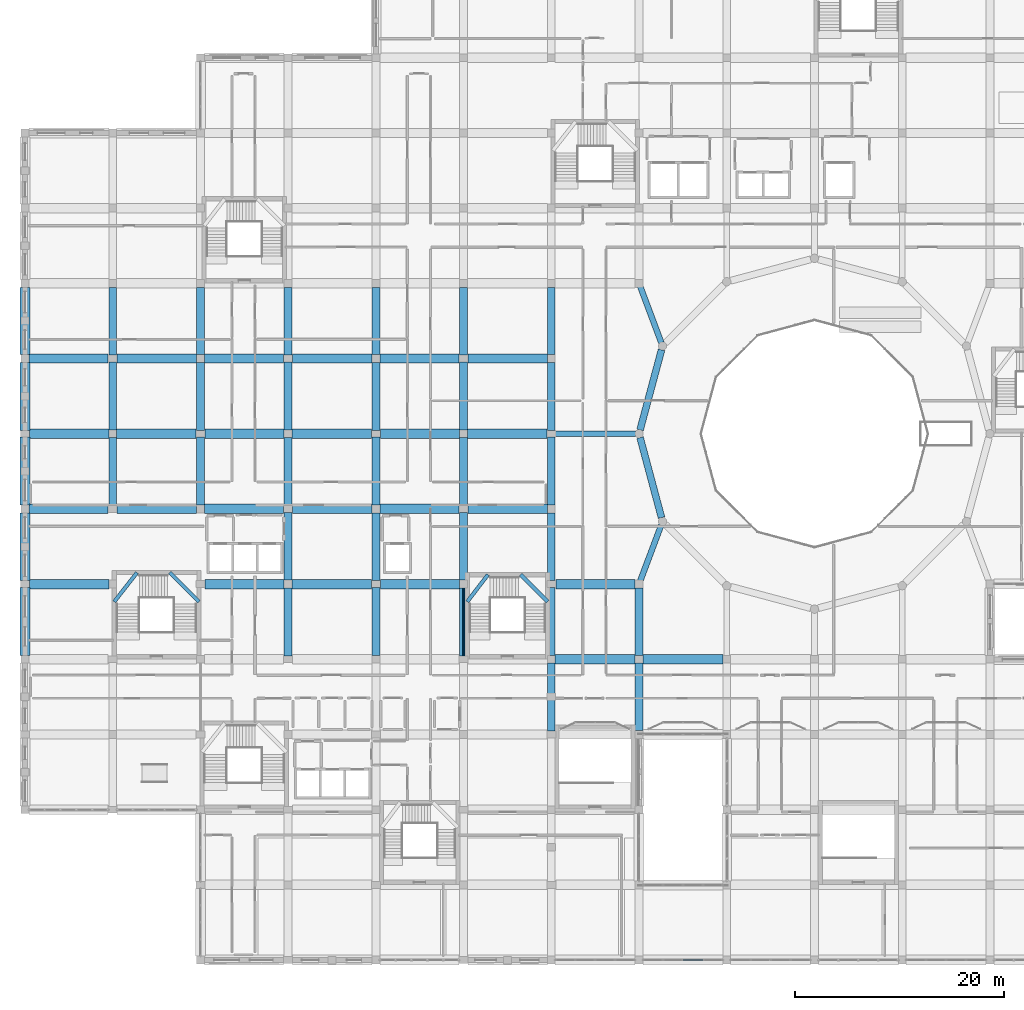
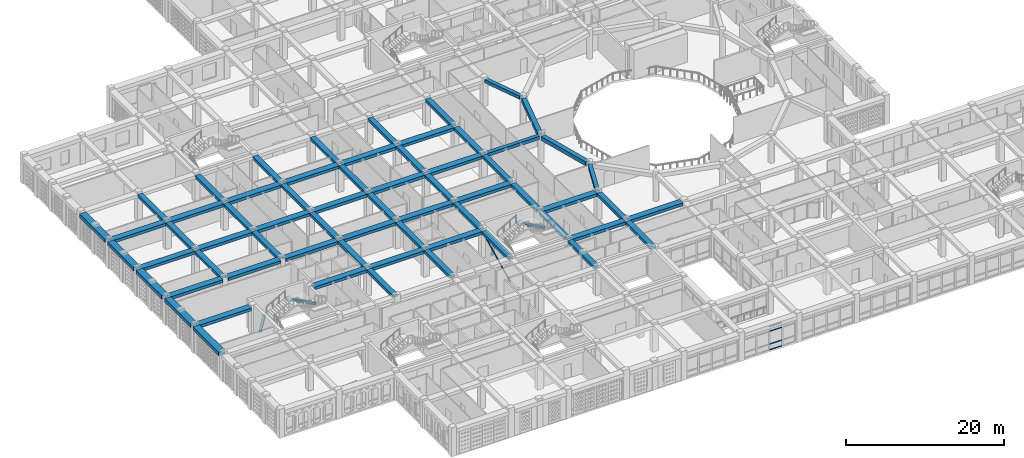
# One storey, part 14 of 121: 68 beams, 5 members, 1 element without a shape of its own.
"""IFC4 building model written with IfcOpenShell, lengths in metres."""

from ifc_helpers import new_model, si_unit, derived_unit, direction, frame, origin, origin_2d, place, context, subcontext, project, spatial, rectangle, hollow_rectangle, hollow_circle, extrude, material, material_profile, profile_set, type_object, element, aggregate, save


model = new_model("IFC4")

# Units and contexts
model_context = context("Model", 3, precision=1e-05, world=origin(), true_north=direction((0.0, 1.0)))
body_context = subcontext(model_context, "Body", "Model", "MODEL_VIEW")
ifc_project = project(units=[si_unit("LENGTHUNIT", "METRE"), si_unit("AREAUNIT", "SQUARE_METRE"), si_unit("VOLUMEUNIT", "CUBIC_METRE"), si_unit("PLANEANGLEUNIT", "RADIAN"), si_unit("MASSUNIT", "GRAM", prefix="KILO"), derived_unit("THERMALTRANSMITTANCEUNIT", [(si_unit("POWERUNIT", "WATT"), 1), (si_unit("LENGTHUNIT", "METRE"), -2), (si_unit("THERMODYNAMICTEMPERATUREUNIT", "KELVIN"), -1)])], contexts=[model_context])

# Site, building, storey
site_placement = place(None, origin())
site = spatial("IfcSite", under=ifc_project, at=site_placement, CompositionType="ELEMENT")
building_placement = place(site_placement, origin())
building = spatial("IfcBuilding", under=site, at=building_placement, Name="Veybourne Emporium", CompositionType="ELEMENT")
storey_placement = place(building_placement, frame((0.0, 0.0, 5.39990234375)))
storey = spatial("IfcBuildingStorey", under=building, at=storey_placement, Name="L01", CompositionType="ELEMENT", Elevation=5.39990234375)

# Curtain wall, members
ifc_material_1 = material(Name="Patinated Architectural Bronze", Category="bronze")
curtain_wall_type = type_object("IfcCurtainWallType", Name="CWSystem_CWS-08", PredefinedType="NOTDEFINED", material=ifc_material_1)
curtain_wall_placement = place(storey_placement, origin())
curtain_wall = element("IfcCurtainWall", 1, at=curtain_wall_placement, inside=storey, type_object=curtain_wall_type, Name="L01 bronze glazed curtain wall CWS-08 (033)", PredefinedType="NOTDEFINED")
ifc_material_profile_1 = material_profile(ifc_material_1, hollow_rectangle(XDim=0.070068359375, YDim=0.169921875, WallThickness=0.0048828125, InnerFilletRadius=0.007568359375, OuterFilletRadius=0.012451171875, at=origin_2d()), Name="CWT 70x170x5")
ifc_profile_set_1 = profile_set([ifc_material_profile_1], Name="Patinated Architectural Bronze")
member_type_1 = type_object("IfcMemberType", Name="CWTransom_CW-T4", PredefinedType="NOTDEFINED", material=ifc_profile_set_1)
member_1_placement = place(storey_placement, frame((64.87744140625, 0.0, 0.03515625), z_axis=(-1.0, 0.0, 0.0), x_axis=(0.0, -1.0, 0.0)))
member_1 = element("IfcMember", 2, at=member_1_placement, type_object=member_type_1, Name="CWS-08 transom 2.1", ObjectType="TRANSOM", PredefinedType="USERDEFINED", context=body_context, shape_type="SweptSolid", body=[
    extrude(hollow_rectangle(XDim=0.070068359375, YDim=0.169921875, WallThickness=0.0048828125, InnerFilletRadius=0.007568359375, OuterFilletRadius=0.012451171875, at=origin_2d()), origin(), (0.0, 0.0, 1.0), 1.842529296875),
])
member_2_placement = place(storey_placement, frame((64.87744140625, 0.0, 0.900146484375), z_axis=(-1.0, 0.0, 0.0), x_axis=(0.0, -1.0, 0.0)))
member_2 = element("IfcMember", 3, at=member_2_placement, type_object=member_type_1, Name="CWS-08 transom 2.2", ObjectType="TRANSOM", PredefinedType="USERDEFINED", context=body_context, shape_type="SweptSolid", body=[
    extrude(hollow_rectangle(XDim=0.070068359375, YDim=0.169921875, WallThickness=0.0048828125, InnerFilletRadius=0.007568359375, OuterFilletRadius=0.012451171875, at=origin_2d()), origin(), (0.0, 0.0, 1.0), 1.842529296875),
])
member_3_placement = place(storey_placement, frame((64.87744140625, 0.0, 2.880126953125), z_axis=(-1.0, 0.0, 0.0), x_axis=(0.0, -1.0, 0.0)))
member_3 = element("IfcMember", 4, at=member_3_placement, type_object=member_type_1, Name="CWS-08 transom 2.3", ObjectType="TRANSOM", PredefinedType="USERDEFINED", context=body_context, shape_type="SweptSolid", body=[
    extrude(hollow_rectangle(XDim=0.070068359375, YDim=0.169921875, WallThickness=0.0048828125, InnerFilletRadius=0.007568359375, OuterFilletRadius=0.012451171875, at=origin_2d()), origin(), (0.0, 0.0, 1.0), 1.842529296875),
])
member_4_placement = place(storey_placement, frame((64.87744140625, 0.0, 3.59521484375), z_axis=(-1.0, 0.0, 0.0), x_axis=(0.0, -1.0, 0.0)))
member_4 = element("IfcMember", 5, at=member_4_placement, type_object=member_type_1, Name="CWS-08 transom 2.4", ObjectType="TRANSOM", PredefinedType="USERDEFINED", context=body_context, shape_type="SweptSolid", body=[
    extrude(hollow_rectangle(XDim=0.070068359375, YDim=0.169921875, WallThickness=0.0048828125, InnerFilletRadius=0.007568359375, OuterFilletRadius=0.012451171875, at=origin_2d()), origin(), (0.0, 0.0, 1.0), 1.842529296875),
])
aggregate(curtain_wall, [member_1, member_2, member_3, member_4])

# Beams
ifc_material_2 = material(Name="Concrete C32/40", Category="concrete")
ifc_material_profile_2 = material_profile(ifc_material_2, rectangle(XDim=0.35009765625, YDim=0.35009765625, at=origin_2d()), Name="RC 350x350")
ifc_profile_set_2 = profile_set([ifc_material_profile_2], Name="Concrete C32/40")
beam_type_1 = type_object("IfcBeamType", Name="LandingBeam_LB-01", PredefinedType="BEAM", material=ifc_profile_set_2)
beam_1_placement = place(storey_placement, frame((8.550048828125, 34.320068359375, 1.125), z_axis=(0.617055197144, 0.786919871193, 0.0), x_axis=(-0.786919871193, 0.617055197144, 0.0)))
element("IfcBeam", 6, at=beam_1_placement, inside=storey, type_object=beam_type_1, Name="L01 ST-02 landing 1 support beam", PredefinedType="BEAM", context=body_context, shape_type="SweptSolid", body=[
    extrude(rectangle(XDim=0.35009765625, YDim=0.35009765625, at=origin_2d()), origin(), (0.0, 0.0, 1.0), 3.53271484375),
])
beam_2_placement = place(storey_placement, frame((13.8701171875, 37.10009765625, 2.625), z_axis=(0.70707573028, -0.70713783073, 0.0), x_axis=(0.70713783073, 0.70707573028, 0.0)))
element("IfcBeam", 7, at=beam_2_placement, inside=storey, type_object=beam_type_1, Name="L01 ST-02 landing 2 support beam", PredefinedType="BEAM", context=body_context, shape_type="SweptSolid", body=[
    extrude(rectangle(XDim=0.35009765625, YDim=0.35009765625, at=origin_2d()), origin(), (0.0, 0.0, 1.0), 3.931396484375),
])
beam_3_placement = place(storey_placement, frame((42.35009765625, 34.320068359375, 1.125), z_axis=(0.608839661171, 0.793293304513, 0.0), x_axis=(-0.793293304513, 0.608839661171, 0.0)))
element("IfcBeam", 8, at=beam_3_placement, inside=storey, type_object=beam_type_1, Name="L01 ST-05 landing 1 support beam", PredefinedType="BEAM", context=body_context, shape_type="SweptSolid", body=[
    extrude(rectangle(XDim=0.35009765625, YDim=0.35009765625, at=origin_2d()), origin(), (0.0, 0.0, 1.0), 3.251953125),
])
beam_4_placement = place(storey_placement, frame((47.469970703125, 36.89990234375, 2.625), z_axis=(0.707140237068, -0.707073323722, 0.0), x_axis=(0.707073323722, 0.707140237068, 0.0)))
element("IfcBeam", 9, at=beam_4_placement, inside=storey, type_object=beam_type_1, Name="L01 ST-05 landing 2 support beam", PredefinedType="BEAM", context=body_context, shape_type="SweptSolid", body=[
    extrude(rectangle(XDim=0.35009765625, YDim=0.35009765625, at=origin_2d()), origin(), (0.0, 0.0, 1.0), 3.648681640625),
])
ifc_material_profile_3 = material_profile(ifc_material_2, rectangle(XDim=0.89990234375, YDim=0.449951171875, at=origin_2d()), Name="RC 900x450")
ifc_profile_set_3 = profile_set([ifc_material_profile_3], Name="Concrete C32/40")
beam_type_2 = type_object("IfcBeamType", Name="RCBeam_BB-03", PredefinedType="BEAM", material=ifc_profile_set_3)
beam_5_placement = place(storey_placement, frame((0.425048828125, 36.0, 3.955078125), z_axis=(1.0, 0.0, 0.0), x_axis=(0.0, 1.0, 0.0)))
element("IfcBeam", 10, at=beam_5_placement, inside=storey, type_object=beam_type_2, Name="L01 X-grid beam BB-03 (0,5)", PredefinedType="BEAM", context=body_context, shape_type="SweptSolid", body=[
    extrude(rectangle(XDim=0.89990234375, YDim=0.449951171875, at=origin_2d()), origin(), (0.0, 0.0, 1.0), 7.599853515625),
])
beam_6_placement = place(storey_placement, frame((0.375, 43.199951171875, 3.955078125), z_axis=(1.0, 0.0, 0.0), x_axis=(0.0, 1.0, 0.0)))
element("IfcBeam", 11, at=beam_6_placement, inside=storey, type_object=beam_type_2, Name="L01 X-grid beam BB-03 (0,6)", PredefinedType="BEAM", context=body_context, shape_type="SweptSolid", body=[
    extrude(rectangle(XDim=0.89990234375, YDim=0.449951171875, at=origin_2d()), origin(), (0.0, 0.0, 1.0), 7.60009765625),
])
beam_7_placement = place(storey_placement, frame((0.425048828125, 50.39990234375, 3.955078125), z_axis=(1.0, 0.0, 0.0), x_axis=(0.0, 1.0, 0.0)))
element("IfcBeam", 12, at=beam_7_placement, inside=storey, type_object=beam_type_2, Name="L01 X-grid beam BB-03 (0,7)", PredefinedType="BEAM", context=body_context, shape_type="SweptSolid", body=[
    extrude(rectangle(XDim=0.89990234375, YDim=0.449951171875, at=origin_2d()), origin(), (0.0, 0.0, 1.0), 7.599853515625),
])
for number, where, z_axis, x_axis, name in (
    (13, (0.375, 57.60009765625, 3.955078125), (1.0, 0.0, 0.0), (0.0, 1.0, 0.0), "L01 X-grid beam BB-03 (0,8)"),
    (14, (8.824951171875, 43.199951171875, 3.955078125), (1.0, 0.0, 0.0), (0.0, 1.0, 0.0), "L01 X-grid beam BB-03 (1,6)"),
    (15, (8.77490234375, 50.39990234375, 3.955078125), (1.0, 0.0, 0.0), (0.0, 1.0, 0.0), "L01 X-grid beam BB-03 (1,7)"),
    (16, (8.824951171875, 57.60009765625, 3.955078125), (1.0, 0.0, 0.0), (0.0, 1.0, 0.0), "L01 X-grid beam BB-03 (1,8)"),
):
    element("IfcBeam", number, at=place(storey_placement, frame(where, z_axis=z_axis, x_axis=x_axis)), inside=storey, type_object=beam_type_2, Name=name, PredefinedType="BEAM", context=body_context, shape_type="SweptSolid", body=[
        extrude(rectangle(XDim=0.89990234375, YDim=0.449951171875, at=origin_2d()), origin(), (0.0, 0.0, 1.0), 7.60009765625),
    ])
for number, where, z_axis, x_axis, name in (
    (17, (17.22509765625, 36.0, 3.955078125), (1.0, 0.0, 0.0), (0.0, 1.0, 0.0), "L01 X-grid beam BB-03 (2,5)"),
    (18, (17.175048828125, 43.199951171875, 3.955078125), (1.0, 0.0, 0.0), (0.0, 1.0, 0.0), "L01 X-grid beam BB-03 (2,6)"),
    (19, (17.22509765625, 50.39990234375, 3.955078125), (1.0, 0.0, 0.0), (0.0, 1.0, 0.0), "L01 X-grid beam BB-03 (2,7)"),
    (20, (17.175048828125, 57.60009765625, 3.955078125), (1.0, 0.0, 0.0), (0.0, 1.0, 0.0), "L01 X-grid beam BB-03 (2,8)"),
):
    element("IfcBeam", number, at=place(storey_placement, frame(where, z_axis=z_axis, x_axis=x_axis)), inside=storey, type_object=beam_type_2, Name=name, PredefinedType="BEAM", context=body_context, shape_type="SweptSolid", body=[
        extrude(rectangle(XDim=0.89990234375, YDim=0.449951171875, at=origin_2d()), origin(), (0.0, 0.0, 1.0), 7.599853515625),
    ])
for number, where, z_axis, x_axis, name in (
    (21, (25.574951171875, 36.0, 3.955078125), (1.0, 0.0, 0.0), (0.0, 1.0, 0.0), "L01 X-grid beam BB-03 (3,5)"),
    (22, (25.625, 43.199951171875, 3.955078125), (1.0, 0.0, 0.0), (0.0, 1.0, 0.0), "L01 X-grid beam BB-03 (3,6)"),
    (23, (25.574951171875, 50.39990234375, 3.955078125), (1.0, 0.0, 0.0), (0.0, 1.0, 0.0), "L01 X-grid beam BB-03 (3,7)"),
    (24, (25.625, 57.60009765625, 3.955078125), (1.0, 0.0, 0.0), (0.0, 1.0, 0.0), "L01 X-grid beam BB-03 (3,8)"),
    (25, (34.02490234375, 36.0, 3.955078125), (1.0, 0.0, 0.0), (0.0, 1.0, 0.0), "L01 X-grid beam BB-03 (4,5)"),
):
    element("IfcBeam", number, at=place(storey_placement, frame(where, z_axis=z_axis, x_axis=x_axis)), inside=storey, type_object=beam_type_2, Name=name, PredefinedType="BEAM", context=body_context, shape_type="SweptSolid", body=[
        extrude(rectangle(XDim=0.89990234375, YDim=0.449951171875, at=origin_2d()), origin(), (0.0, 0.0, 1.0), 7.60009765625),
    ])
beam_8_placement = place(storey_placement, frame((33.97509765625, 43.199951171875, 3.955078125), z_axis=(1.0, 0.0, 0.0), x_axis=(0.0, 1.0, 0.0)))
element("IfcBeam", 26, at=beam_8_placement, inside=storey, type_object=beam_type_2, Name="L01 X-grid beam BB-03 (4,6)", PredefinedType="BEAM", context=body_context, shape_type="SweptSolid", body=[
    extrude(rectangle(XDim=0.89990234375, YDim=0.449951171875, at=origin_2d()), origin(), (0.0, 0.0, 1.0), 7.599853515625),
])
beam_9_placement = place(storey_placement, frame((34.02490234375, 50.39990234375, 3.955078125), z_axis=(1.0, 0.0, 0.0), x_axis=(0.0, 1.0, 0.0)))
element("IfcBeam", 27, at=beam_9_placement, inside=storey, type_object=beam_type_2, Name="L01 X-grid beam BB-03 (4,7)", PredefinedType="BEAM", context=body_context, shape_type="SweptSolid", body=[
    extrude(rectangle(XDim=0.89990234375, YDim=0.449951171875, at=origin_2d()), origin(), (0.0, 0.0, 1.0), 7.60009765625),
])
for number, where, z_axis, x_axis, name in (
    (28, (33.97509765625, 57.60009765625, 3.955078125), (1.0, 0.0, 0.0), (0.0, 1.0, 0.0), "L01 X-grid beam BB-03 (4,8)"),
    (29, (42.425048828125, 43.199951171875, 3.955078125), (1.0, 0.0, 0.0), (0.0, 1.0, 0.0), "L01 X-grid beam BB-03 (5,6)"),
):
    element("IfcBeam", number, at=place(storey_placement, frame(where, z_axis=z_axis, x_axis=x_axis)), inside=storey, type_object=beam_type_2, Name=name, PredefinedType="BEAM", context=body_context, shape_type="SweptSolid", body=[
        extrude(rectangle(XDim=0.89990234375, YDim=0.449951171875, at=origin_2d()), origin(), (0.0, 0.0, 1.0), 7.599853515625),
    ])
beam_10_placement = place(storey_placement, frame((42.375, 50.39990234375, 3.955078125), z_axis=(1.0, 0.0, 0.0), x_axis=(0.0, 1.0, 0.0)))
element("IfcBeam", 30, at=beam_10_placement, inside=storey, type_object=beam_type_2, Name="L01 X-grid beam BB-03 (5,7)", PredefinedType="BEAM", context=body_context, shape_type="SweptSolid", body=[
    extrude(rectangle(XDim=0.89990234375, YDim=0.449951171875, at=origin_2d()), origin(), (0.0, 0.0, 1.0), 7.60009765625),
])
beam_11_placement = place(storey_placement, frame((42.425048828125, 57.60009765625, 3.955078125), z_axis=(1.0, 0.0, 0.0), x_axis=(0.0, 1.0, 0.0)))
element("IfcBeam", 31, at=beam_11_placement, inside=storey, type_object=beam_type_2, Name="L01 X-grid beam BB-03 (5,8)", PredefinedType="BEAM", context=body_context, shape_type="SweptSolid", body=[
    extrude(rectangle(XDim=0.89990234375, YDim=0.449951171875, at=origin_2d()), origin(), (0.0, 0.0, 1.0), 7.599853515625),
])
beam_12_placement = place(storey_placement, frame((50.77490234375, 28.800048828125, 3.955078125), z_axis=(1.0, 0.0, 0.0), x_axis=(0.0, 1.0, 0.0)))
element("IfcBeam", 32, at=beam_12_placement, inside=storey, type_object=beam_type_2, Name="L01 X-grid beam BB-03 (6,4)", PredefinedType="BEAM", context=body_context, shape_type="SweptSolid", body=[
    extrude(rectangle(XDim=0.89990234375, YDim=0.449951171875, at=origin_2d()), origin(), (0.0, 0.0, 1.0), 7.650146484375),
])
beam_13_placement = place(storey_placement, frame((50.824951171875, 36.0, 3.955078125), z_axis=(1.0, 0.0, 0.0), x_axis=(0.0, 1.0, 0.0)))
element("IfcBeam", 33, at=beam_13_placement, inside=storey, type_object=beam_type_2, Name="L01 X-grid beam BB-03 (6,5)", PredefinedType="BEAM", context=body_context, shape_type="SweptSolid", body=[
    extrude(rectangle(XDim=0.89990234375, YDim=0.449951171875, at=origin_2d()), origin(), (0.0, 0.0, 1.0), 7.60009765625),
])
beam_14_placement = place(storey_placement, frame((59.175048828125, 28.800048828125, 3.955078125), z_axis=(1.0, 0.0, 0.0), x_axis=(0.0, 1.0, 0.0)))
element("IfcBeam", 34, at=beam_14_placement, inside=storey, type_object=beam_type_2, Name="L01 X-grid beam BB-03 (7,4)", PredefinedType="BEAM", context=body_context, shape_type="SweptSolid", body=[
    extrude(rectangle(XDim=0.89990234375, YDim=0.449951171875, at=origin_2d()), origin(), (0.0, 0.0, 1.0), 7.64990234375),
])
ifc_material_profile_4 = material_profile(ifc_material_2, rectangle(XDim=0.75, YDim=0.449951171875, at=origin_2d()), Name="RC 750x450")
ifc_profile_set_4 = profile_set([ifc_material_profile_4], Name="Concrete C32/40")
beam_type_3 = type_object("IfcBeamType", Name="RCBeam_BB-04", PredefinedType="BEAM", material=ifc_profile_set_4)
for number, where, z_axis, x_axis, name in (
    (35, (8.39990234375, 43.52490234375, 3.955078125), (0.0, 1.0, 0.0), (-1.0, 0.0, 0.0), "L01 Y-grid beam BB-04 (1,6)"),
    (36, (8.39990234375, 50.77490234375, 3.955078125), (0.0, 1.0, 0.0), (-1.0, 0.0, 0.0), "L01 Y-grid beam BB-04 (1,7)"),
    (37, (8.39990234375, 57.925048828125, 3.955078125), (0.0, 1.0, 0.0), (-1.0, 0.0, 0.0), "L01 Y-grid beam BB-04 (1,8)"),
    (38, (16.800048828125, 43.574951171875, 3.955078125), (0.0, 1.0, 0.0), (-1.0, 0.0, 0.0), "L01 Y-grid beam BB-04 (2,6)"),
    (39, (16.800048828125, 50.72509765625, 3.955078125), (0.0, 1.0, 0.0), (-1.0, 0.0, 0.0), "L01 Y-grid beam BB-04 (2,7)"),
):
    element("IfcBeam", number, at=place(storey_placement, frame(where, z_axis=z_axis, x_axis=x_axis)), inside=storey, type_object=beam_type_3, Name=name, PredefinedType="BEAM", context=body_context, shape_type="SweptSolid", body=[
        extrude(rectangle(XDim=0.75, YDim=0.449951171875, at=origin_2d()), origin(), (0.0, 0.0, 1.0), 6.5),
    ])
beam_15_placement = place(storey_placement, frame((16.800048828125, 57.97509765625, 3.955078125), z_axis=(0.0, 1.0, 0.0), x_axis=(-1.0, 0.0, 0.0)))
element("IfcBeam", 40, at=beam_15_placement, inside=storey, type_object=beam_type_3, Name="L01 Y-grid beam BB-04 (2,8)", PredefinedType="BEAM", context=body_context, shape_type="SweptSolid", body=[
    extrude(rectangle(XDim=0.75, YDim=0.449951171875, at=origin_2d()), origin(), (0.0, 0.0, 1.0), 6.449951171875),
])
for number, where, z_axis, x_axis, name in (
    (41, (25.199951171875, 29.125, 3.955078125), (0.0, 1.0, 0.0), (-1.0, 0.0, 0.0), "L01 Y-grid beam BB-04 (3,4)"),
    (42, (25.199951171875, 36.375, 3.955078125), (0.0, 1.0, 0.0), (-1.0, 0.0, 0.0), "L01 Y-grid beam BB-04 (3,5)"),
    (43, (25.199951171875, 43.52490234375, 3.955078125), (0.0, 1.0, 0.0), (-1.0, 0.0, 0.0), "L01 Y-grid beam BB-04 (3,6)"),
    (44, (25.199951171875, 50.77490234375, 3.955078125), (0.0, 1.0, 0.0), (-1.0, 0.0, 0.0), "L01 Y-grid beam BB-04 (3,7)"),
    (45, (25.199951171875, 57.925048828125, 3.955078125), (0.0, 1.0, 0.0), (-1.0, 0.0, 0.0), "L01 Y-grid beam BB-04 (3,8)"),
    (46, (33.60009765625, 29.175048828125, 3.955078125), (0.0, 1.0, 0.0), (-1.0, 0.0, 0.0), "L01 Y-grid beam BB-04 (4,4)"),
    (47, (33.60009765625, 36.324951171875, 3.955078125), (0.0, 1.0, 0.0), (-1.0, 0.0, 0.0), "L01 Y-grid beam BB-04 (4,5)"),
    (48, (33.60009765625, 43.574951171875, 3.955078125), (0.0, 1.0, 0.0), (-1.0, 0.0, 0.0), "L01 Y-grid beam BB-04 (4,6)"),
    (49, (33.60009765625, 50.72509765625, 3.955078125), (0.0, 1.0, 0.0), (-1.0, 0.0, 0.0), "L01 Y-grid beam BB-04 (4,7)"),
):
    element("IfcBeam", number, at=place(storey_placement, frame(where, z_axis=z_axis, x_axis=x_axis)), inside=storey, type_object=beam_type_3, Name=name, PredefinedType="BEAM", context=body_context, shape_type="SweptSolid", body=[
        extrude(rectangle(XDim=0.75, YDim=0.449951171875, at=origin_2d()), origin(), (0.0, 0.0, 1.0), 6.5),
    ])
beam_16_placement = place(storey_placement, frame((33.60009765625, 57.97509765625, 3.955078125), z_axis=(0.0, 1.0, 0.0), x_axis=(-1.0, 0.0, 0.0)))
element("IfcBeam", 50, at=beam_16_placement, inside=storey, type_object=beam_type_3, Name="L01 Y-grid beam BB-04 (4,8)", PredefinedType="BEAM", context=body_context, shape_type="SweptSolid", body=[
    extrude(rectangle(XDim=0.75, YDim=0.449951171875, at=origin_2d()), origin(), (0.0, 0.0, 1.0), 6.449951171875),
])
for number, where, z_axis, x_axis, name in (
    (51, (42.0, 29.125, 3.955078125), (0.0, 1.0, 0.0), (-1.0, 0.0, 0.0), "L01 Y-grid beam BB-04 (5,4)"),
    (52, (42.0, 36.375, 3.955078125), (0.0, 1.0, 0.0), (-1.0, 0.0, 0.0), "L01 Y-grid beam BB-04 (5,5)"),
    (53, (42.0, 43.52490234375, 3.955078125), (0.0, 1.0, 0.0), (-1.0, 0.0, 0.0), "L01 Y-grid beam BB-04 (5,6)"),
    (54, (42.0, 50.77490234375, 3.955078125), (0.0, 1.0, 0.0), (-1.0, 0.0, 0.0), "L01 Y-grid beam BB-04 (5,7)"),
    (55, (42.0, 57.925048828125, 3.955078125), (0.0, 1.0, 0.0), (-1.0, 0.0, 0.0), "L01 Y-grid beam BB-04 (5,8)"),
    (56, (50.39990234375, 21.925048828125, 3.955078125), (0.0, 1.0, 0.0), (-1.0, 0.0, 0.0), "L01 Y-grid beam BB-04 (6,3)"),
    (57, (50.39990234375, 29.175048828125, 3.955078125), (0.0, 1.0, 0.0), (-1.0, 0.0, 0.0), "L01 Y-grid beam BB-04 (6,4)"),
    (58, (50.39990234375, 36.324951171875, 3.955078125), (0.0, 1.0, 0.0), (-1.0, 0.0, 0.0), "L01 Y-grid beam BB-04 (6,5)"),
    (59, (50.39990234375, 43.574951171875, 3.955078125), (0.0, 1.0, 0.0), (-1.0, 0.0, 0.0), "L01 Y-grid beam BB-04 (6,6)"),
    (60, (50.39990234375, 50.72509765625, 3.955078125), (0.0, 1.0, 0.0), (-1.0, 0.0, 0.0), "L01 Y-grid beam BB-04 (6,7)"),
):
    element("IfcBeam", number, at=place(storey_placement, frame(where, z_axis=z_axis, x_axis=x_axis)), inside=storey, type_object=beam_type_3, Name=name, PredefinedType="BEAM", context=body_context, shape_type="SweptSolid", body=[
        extrude(rectangle(XDim=0.75, YDim=0.449951171875, at=origin_2d()), origin(), (0.0, 0.0, 1.0), 6.5),
    ])
for number, where, z_axis, x_axis, name in (
    (61, (50.39990234375, 57.97509765625, 3.955078125), (0.0, 1.0, 0.0), (-1.0, 0.0, 0.0), "L01 Y-grid beam BB-04 (6,8)"),
    (62, (58.800048828125, 21.97509765625, 3.955078125), (0.0, 1.0, 0.0), (-1.0, 0.0, 0.0), "L01 Y-grid beam BB-04 (7,3)"),
    (63, (58.800048828125, 29.175048828125, 3.955078125), (0.0, 1.0, 0.0), (-1.0, 0.0, 0.0), "L01 Y-grid beam BB-04 (7,4)"),
):
    element("IfcBeam", number, at=place(storey_placement, frame(where, z_axis=z_axis, x_axis=x_axis)), inside=storey, type_object=beam_type_3, Name=name, PredefinedType="BEAM", context=body_context, shape_type="SweptSolid", body=[
        extrude(rectangle(XDim=0.75, YDim=0.449951171875, at=origin_2d()), origin(), (0.0, 0.0, 1.0), 6.449951171875),
    ])
ifc_material_profile_5 = material_profile(ifc_material_2, rectangle(XDim=0.949951171875, YDim=0.550048828125, at=origin_2d()), Name="RC 950x550")
ifc_profile_set_5 = profile_set([ifc_material_profile_5], Name="Concrete C32/40")
beam_type_4 = type_object("IfcBeamType", Name="RCBeam_EB-01", PredefinedType="SPANDREL", material=ifc_profile_set_5)
for number, where, z_axis, x_axis, name in (
    (64, (0.0, 29.175048828125, 3.905029296875), (0.0, 1.0, 0.0), (-1.0, 0.0, 0.0), "L01 Y-grid beam EB-01 (0,4)"),
    (65, (0.0, 36.324951171875, 3.905029296875), (0.0, 1.0, 0.0), (-1.0, 0.0, 0.0), "L01 Y-grid beam EB-01 (0,5)"),
    (66, (0.0, 43.574951171875, 3.905029296875), (0.0, 1.0, 0.0), (-1.0, 0.0, 0.0), "L01 Y-grid beam EB-01 (0,6)"),
    (67, (0.0, 50.72509765625, 3.905029296875), (0.0, 1.0, 0.0), (-1.0, 0.0, 0.0), "L01 Y-grid beam EB-01 (0,7)"),
):
    element("IfcBeam", number, at=place(storey_placement, frame(where, z_axis=z_axis, x_axis=x_axis)), inside=storey, type_object=beam_type_4, Name=name, PredefinedType="SPANDREL", context=body_context, shape_type="SweptSolid", body=[
        extrude(rectangle(XDim=0.949951171875, YDim=0.550048828125, at=origin_2d()), origin(), (0.0, 0.0, 1.0), 6.5),
    ])
beam_17_placement = place(storey_placement, frame((0.0, 57.97509765625, 3.905029296875), z_axis=(0.0, 1.0, 0.0), x_axis=(-1.0, 0.0, 0.0)))
element("IfcBeam", 68, at=beam_17_placement, inside=storey, type_object=beam_type_4, Name="L01 Y-grid beam EB-01 (0,8)", PredefinedType="SPANDREL", context=body_context, shape_type="SweptSolid", body=[
    extrude(rectangle(XDim=0.949951171875, YDim=0.550048828125, at=origin_2d()), origin(), (0.0, 0.0, 1.0), 6.449951171875),
])
ifc_material_profile_6 = material_profile(ifc_material_2, rectangle(XDim=0.64990234375, YDim=0.60009765625, at=origin_2d()), Name="RC 650x600")
ifc_profile_set_6 = profile_set([ifc_material_profile_6], Name="Concrete C32/40")
beam_type_5 = type_object("IfcBeamType", Name="RCBeam_EB-02", PredefinedType="BEAM", material=ifc_profile_set_6)
beam_18_placement = place(storey_placement, frame((60.952392578125, 58.432861328125, 3.880126953125), z_axis=(-0.258809381222, -0.965928415666, 0.0), x_axis=(0.965928415666, -0.258809381222, 0.0)))
element("IfcBeam", 69, at=beam_18_placement, inside=storey, type_object=beam_type_5, Name="Atrium ring beam EB-02 L01-06", PredefinedType="BEAM", context=body_context, shape_type="SweptSolid", body=[
    extrude(rectangle(XDim=0.64990234375, YDim=0.60009765625, at=origin_2d()), origin(), (0.0, 0.0, 1.0), 7.936279296875),
])
beam_19_placement = place(storey_placement, frame((58.8984375, 50.032958984375, 3.880126953125), z_axis=(0.258801690951, -0.965930476153, 0.0), x_axis=(0.965930476153, 0.258801690951, 0.0)))
element("IfcBeam", 70, at=beam_19_placement, inside=storey, type_object=beam_type_5, Name="Atrium ring beam EB-02 L01-07", PredefinedType="BEAM", context=body_context, shape_type="SweptSolid", body=[
    extrude(rectangle(XDim=0.64990234375, YDim=0.60009765625, at=origin_2d()), origin(), (0.0, 0.0, 1.0), 7.9365234375),
])
ifc_material_profile_7 = material_profile(ifc_material_2, rectangle(XDim=0.550048828125, YDim=0.5, at=origin_2d()), Name="RC 550x500")
ifc_profile_set_7 = profile_set([ifc_material_profile_7], Name="Concrete C32/40")
beam_type_6 = type_object("IfcBeamType", Name="RCBeam_TB-01", PredefinedType="BEAM", material=ifc_profile_set_7)
beam_20_placement = place(storey_placement, frame((60.931396484375, 59.118408203125, 3.93017578125), z_axis=(-0.351235049133, 0.936287317152, 0.0), x_axis=(-0.936287317152, -0.351235049133, 0.0)))
element("IfcBeam", 71, at=beam_20_placement, inside=storey, type_object=beam_type_6, Name="Atrium radial tie beam L01-06", PredefinedType="BEAM", context=body_context, shape_type="SweptSolid", body=[
    extrude(rectangle(XDim=0.550048828125, YDim=0.5, at=origin_2d()), origin(), (0.0, 0.0, 1.0), 5.753173828125),
])
beam_21_placement = place(storey_placement, frame((58.4599609375, 50.39990234375, 3.93017578125), z_axis=(-1.0, 0.0, 0.0), x_axis=(0.0, -1.0, 0.0)))
element("IfcBeam", 72, at=beam_21_placement, inside=storey, type_object=beam_type_6, Name="Atrium radial tie beam L01-07", PredefinedType="BEAM", context=body_context, shape_type="SweptSolid", body=[
    extrude(rectangle(XDim=0.550048828125, YDim=0.5, at=origin_2d()), origin(), (0.0, 0.0, 1.0), 7.794921875),
])
beam_22_placement = place(storey_placement, frame((60.931396484375, 41.681640625, 3.93017578125), z_axis=(-0.351235049133, -0.936287317152, 0.0), x_axis=(0.936287317152, -0.351235049133, 0.0)))
element("IfcBeam", 73, at=beam_22_placement, inside=storey, type_object=beam_type_6, Name="Atrium radial tie beam L01-08", PredefinedType="BEAM", context=body_context, shape_type="SweptSolid", body=[
    extrude(rectangle(XDim=0.550048828125, YDim=0.5, at=origin_2d()), origin(), (0.0, 0.0, 1.0), 5.753173828125),
])

# Member
ifc_material_3 = material(Name="Steel S355", Category="steel")
ifc_material_profile_8 = material_profile(ifc_material_3, hollow_circle(Radius=0.084228515625, WallThickness=0.008056640625, at=origin_2d()), Name="CHS 168.3x8.0")
ifc_profile_set_8 = profile_set([ifc_material_profile_8], Name="Steel S355")
member_type_2 = type_object("IfcMemberType", Name="SteelMem_DB-01", PredefinedType="BRACE", material=ifc_profile_set_8)
member_5_placement = place(storey_placement, frame((42.0, 29.02001953125, 0.25), z_axis=(0.0, 0.897061623358, 0.441905469414), x_axis=(-1.0, 0.0, 0.0)))
element("IfcMember", 74, at=member_5_placement, inside=storey, type_object=member_type_2, Name="Internal lateral frame brace DB-01.06 (L01)", PredefinedType="BRACE", context=body_context, shape_type="SweptSolid", body=[
    extrude(hollow_circle(Radius=0.084228515625, WallThickness=0.008056640625, at=origin_2d()), origin(), (0.0, 0.0, 1.0), 7.53564453125),
])

save(model, "model.ifc")
